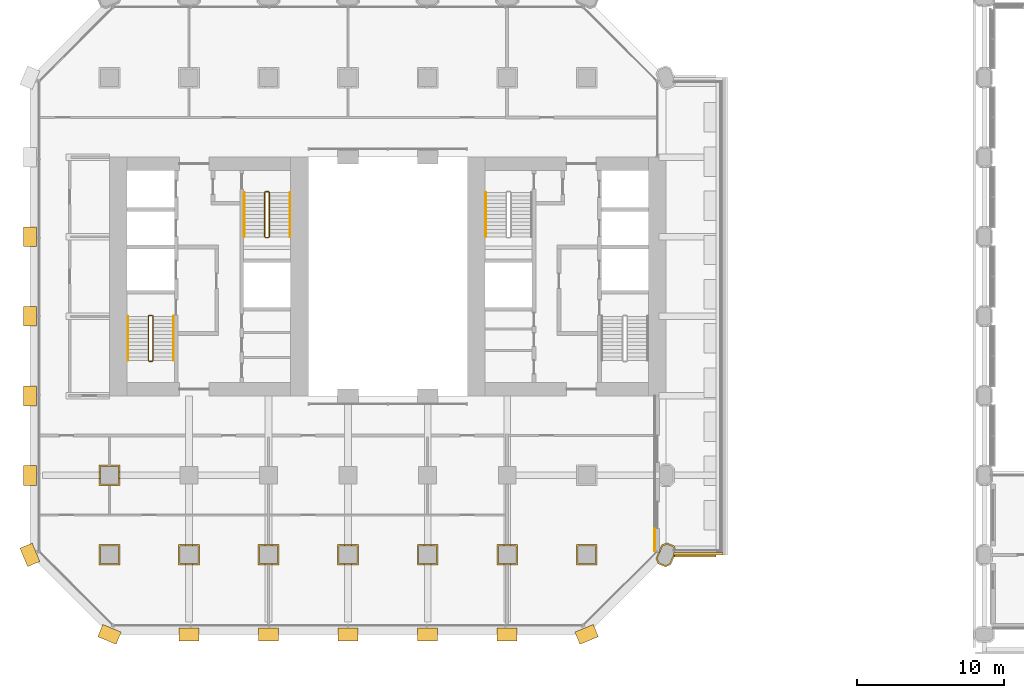
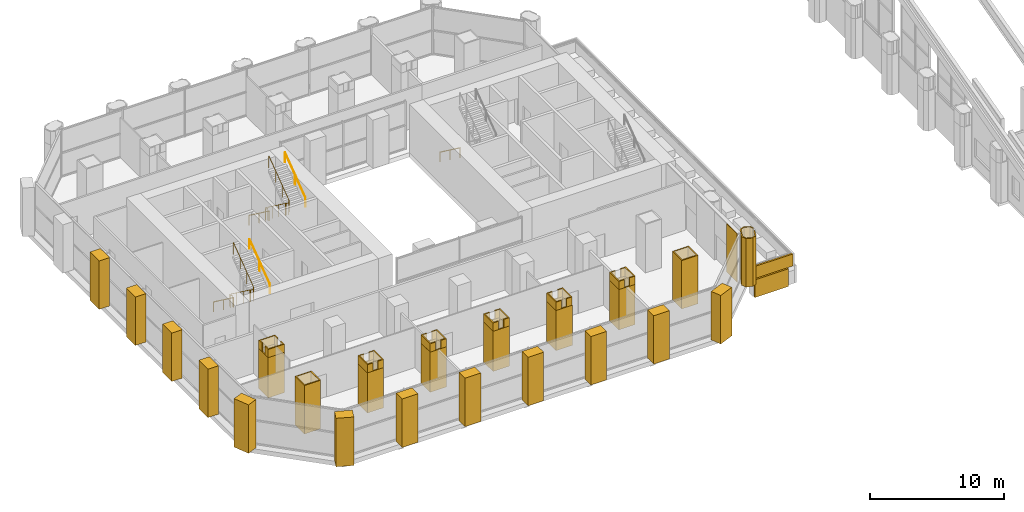
# One storey, part 36 of 42: 36 coverings, 7 railings.
"""IFC4 building model written with IfcOpenShell, lengths in metres."""

from ifc_helpers import new_model, si_unit, direction, frame, frame_2d, origin, origin_2d, place, context, subcontext, project, spatial, polyline, rectangle, circle, outline, extrude, material, layer, layer_set, type_object, element, save


model = new_model("IFC4")

# Units and contexts
model_context = context("Model", 3, precision=1e-05, world=origin(), true_north=direction((0.0, 1.0)))
body_context = subcontext(model_context, "Body", "Model", "MODEL_VIEW")
ifc_project = project(units=[si_unit("LENGTHUNIT", "METRE"), si_unit("AREAUNIT", "SQUARE_METRE"), si_unit("VOLUMEUNIT", "CUBIC_METRE"), si_unit("PLANEANGLEUNIT", "RADIAN"), si_unit("MASSUNIT", "GRAM", prefix="KILO")], contexts=[model_context])

# Site, building, storey
site_placement = place(None, origin())
site = spatial("IfcSite", under=ifc_project, at=site_placement, CompositionType="ELEMENT")
building_placement = place(site_placement, origin())
building = spatial("IfcBuilding", under=site, at=building_placement, Name="Tabaq Tower and Sports Hall", CompositionType="ELEMENT")
storey_placement = place(building_placement, frame((0.0, 0.0, 19.800048828125)))
storey = spatial("IfcBuildingStorey", under=building, at=storey_placement, Name="L03", CompositionType="ELEMENT", Elevation=19.800048828125)

# Coverings
ifc_material_1 = material(Name="Precast concrete C60/75", Category="concrete")
ifc_layer_1 = layer(ifc_material_1, 0.10009765625)
ifc_layer_set_1 = layer_set([ifc_layer_1], Name="Column cladding 100")
covering_type_1 = type_object("IfcCoveringType", Name="Column cladding 100", PredefinedType="CLADDING", material=ifc_layer_set_1)
covering_1_placement = place(storey_placement, origin())
element("IfcCovering", 1, at=covering_1_placement, inside=storey, type_object=covering_type_1, Name="Column cladding L03 CC-2B-P", PredefinedType="CLADDING", context=body_context, shape_type="SweptSolid", body=[
    extrude(outline(polyline([(4.7001953125, 6.099609375), (6.099609375, 6.099609375), (6.099609375, 4.7001953125), (4.7001953125, 4.7001953125), (4.7001953125, 6.099609375)]), holes=[polyline([(6.000244140625, 4.7998046875), (6.000244140625, 6.000244140625), (4.7998046875, 6.000244140625), (4.7998046875, 4.7998046875), (6.000244140625, 4.7998046875)])]), origin(), (0.0, 0.0, 1.0), 4.39990234375),
])
covering_2_placement = place(storey_placement, origin())
element("IfcCovering", 2, at=covering_2_placement, inside=storey, type_object=covering_type_1, Name="Column cladding L03 CC-2C-P", PredefinedType="CLADDING", context=body_context, shape_type="SweptSolid", body=[
    extrude(outline(polyline([(4.7001953125, 11.499755859375), (6.099609375, 11.499755859375), (6.099609375, 10.100341796875), (4.7001953125, 10.100341796875), (4.7001953125, 11.499755859375)]), holes=[polyline([(6.000244140625, 10.19970703125), (6.000244140625, 11.400390625), (4.7998046875, 11.400390625), (4.7998046875, 10.19970703125), (6.000244140625, 10.19970703125)])]), origin(), (0.0, 0.0, 1.0), 3.64990234375),
])
covering_3_placement = place(storey_placement, frame((0.0, 0.0, 3.64990234375)))
element("IfcCovering", 3, at=covering_3_placement, inside=storey, type_object=covering_type_1, Name="Column cladding L03 CC-2C-P head", PredefinedType="CLADDING", context=body_context, shape_type="SweptSolid", body=[
    extrude(outline(polyline([(4.79931640625, 10.574462890625), (4.79931640625, 10.199462890625), (6.00048828125, 10.199462890625), (6.00048828125, 10.574462890625), (6.099365234375, 10.574462890625), (6.099365234375, 10.1005859375), (4.70068359375, 10.1005859375), (4.70068359375, 10.574462890625), (4.79931640625, 10.574462890625)])), origin(), (0.0, 0.0, 1.0), 0.75),
])
covering_4_placement = place(storey_placement, frame((0.0, 0.0, 3.64990234375)))
element("IfcCovering", 4, at=covering_4_placement, inside=storey, type_object=covering_type_1, Name="Column cladding L03 CC-2C-P head 2", PredefinedType="CLADDING", context=body_context, shape_type="SweptSolid", body=[
    extrude(outline(polyline([(4.79931640625, 11.025634765625), (4.70068359375, 11.025634765625), (4.70068359375, 11.49951171875), (6.099365234375, 11.49951171875), (6.099365234375, 11.025634765625), (6.00048828125, 11.025634765625), (6.00048828125, 11.400634765625), (4.79931640625, 11.400634765625), (4.79931640625, 11.025634765625)])), origin(), (0.0, 0.0, 1.0), 0.75),
])
covering_5_placement = place(storey_placement, origin())
element("IfcCovering", 5, at=covering_5_placement, inside=storey, type_object=covering_type_1, Name="Column cladding L03 CC-3B-P", PredefinedType="CLADDING", context=body_context, shape_type="SweptSolid", body=[
    extrude(outline(polyline([(10.100341796875, 6.099609375), (11.499755859375, 6.099609375), (11.499755859375, 4.7001953125), (10.100341796875, 4.7001953125), (10.100341796875, 6.099609375)]), holes=[polyline([(11.400390625, 4.7998046875), (11.400390625, 6.000244140625), (10.19970703125, 6.000244140625), (10.19970703125, 4.7998046875), (11.400390625, 4.7998046875)])]), origin(), (0.0, 0.0, 1.0), 3.64990234375),
])
covering_6_placement = place(storey_placement, frame((0.0, 0.0, 3.64990234375)))
element("IfcCovering", 6, at=covering_6_placement, inside=storey, type_object=covering_type_1, Name="Column cladding L03 CC-3B-P head", PredefinedType="CLADDING", context=body_context, shape_type="SweptSolid", body=[
    extrude(outline(polyline([(10.574462890625, 4.79931640625), (10.574462890625, 4.70068359375), (10.1005859375, 4.70068359375), (10.1005859375, 6.099365234375), (10.574462890625, 6.099365234375), (10.574462890625, 6.00048828125), (10.199462890625, 6.00048828125), (10.199462890625, 4.79931640625), (10.574462890625, 4.79931640625)])), origin(), (0.0, 0.0, 1.0), 0.75),
])
covering_7_placement = place(storey_placement, frame((0.0, 0.0, 3.64990234375)))
element("IfcCovering", 7, at=covering_7_placement, inside=storey, type_object=covering_type_1, Name="Column cladding L03 CC-3B-P head 2", PredefinedType="CLADDING", context=body_context, shape_type="SweptSolid", body=[
    extrude(outline(polyline([(11.025634765625, 4.79931640625), (11.400634765625, 4.79931640625), (11.400634765625, 6.00048828125), (11.025634765625, 6.00048828125), (11.025634765625, 6.099365234375), (11.49951171875, 6.099365234375), (11.49951171875, 4.70068359375), (11.025634765625, 4.70068359375), (11.025634765625, 4.79931640625)])), origin(), (0.0, 0.0, 1.0), 0.75),
])
covering_8_placement = place(storey_placement, origin())
element("IfcCovering", 8, at=covering_8_placement, inside=storey, type_object=covering_type_1, Name="Column cladding L03 CC-4B-P", PredefinedType="CLADDING", context=body_context, shape_type="SweptSolid", body=[
    extrude(outline(polyline([(15.500244140625, 6.099609375), (16.899658203125, 6.099609375), (16.899658203125, 4.7001953125), (15.500244140625, 4.7001953125), (15.500244140625, 6.099609375)]), holes=[polyline([(16.80029296875, 4.7998046875), (16.80029296875, 6.000244140625), (15.599609375, 6.000244140625), (15.599609375, 4.7998046875), (16.80029296875, 4.7998046875)])]), origin(), (0.0, 0.0, 1.0), 3.64990234375),
])
covering_9_placement = place(storey_placement, frame((0.0, 0.0, 3.64990234375)))
element("IfcCovering", 9, at=covering_9_placement, inside=storey, type_object=covering_type_1, Name="Column cladding L03 CC-4B-P head", PredefinedType="CLADDING", context=body_context, shape_type="SweptSolid", body=[
    extrude(outline(polyline([(16.425537109375, 4.79931640625), (16.800537109375, 4.79931640625), (16.800537109375, 6.00048828125), (16.425537109375, 6.00048828125), (16.425537109375, 6.099365234375), (16.8994140625, 6.099365234375), (16.8994140625, 4.70068359375), (16.425537109375, 4.70068359375), (16.425537109375, 4.79931640625)])), origin(), (0.0, 0.0, 1.0), 0.75),
])
covering_10_placement = place(storey_placement, frame((0.0, 0.0, 3.64990234375)))
element("IfcCovering", 10, at=covering_10_placement, inside=storey, type_object=covering_type_1, Name="Column cladding L03 CC-4B-P head 2", PredefinedType="CLADDING", context=body_context, shape_type="SweptSolid", body=[
    extrude(outline(polyline([(15.974365234375, 4.79931640625), (15.974365234375, 4.70068359375), (15.50048828125, 4.70068359375), (15.50048828125, 6.099365234375), (15.974365234375, 6.099365234375), (15.974365234375, 6.00048828125), (15.599365234375, 6.00048828125), (15.599365234375, 4.79931640625), (15.974365234375, 4.79931640625)])), origin(), (0.0, 0.0, 1.0), 0.75),
])
covering_11_placement = place(storey_placement, origin())
element("IfcCovering", 11, at=covering_11_placement, inside=storey, type_object=covering_type_1, Name="Column cladding L03 CC-5B-P", PredefinedType="CLADDING", context=body_context, shape_type="SweptSolid", body=[
    extrude(outline(polyline([(20.900390625, 6.099609375), (22.2998046875, 6.099609375), (22.2998046875, 4.7001953125), (20.900390625, 4.7001953125), (20.900390625, 6.099609375)]), holes=[polyline([(22.2001953125, 4.7998046875), (22.2001953125, 6.000244140625), (20.999755859375, 6.000244140625), (20.999755859375, 4.7998046875), (22.2001953125, 4.7998046875)])]), origin(), (0.0, 0.0, 1.0), 3.64990234375),
])
covering_12_placement = place(storey_placement, frame((0.0, 0.0, 3.64990234375)))
element("IfcCovering", 12, at=covering_12_placement, inside=storey, type_object=covering_type_1, Name="Column cladding L03 CC-5B-P head", PredefinedType="CLADDING", context=body_context, shape_type="SweptSolid", body=[
    extrude(outline(polyline([(21.37451171875, 4.79931640625), (21.37451171875, 4.70068359375), (20.900634765625, 4.70068359375), (20.900634765625, 6.099365234375), (21.37451171875, 6.099365234375), (21.37451171875, 6.00048828125), (20.99951171875, 6.00048828125), (20.99951171875, 4.79931640625), (21.37451171875, 4.79931640625)])), origin(), (0.0, 0.0, 1.0), 0.75),
])
covering_13_placement = place(storey_placement, frame((0.0, 0.0, 3.64990234375)))
element("IfcCovering", 13, at=covering_13_placement, inside=storey, type_object=covering_type_1, Name="Column cladding L03 CC-5B-P head 2", PredefinedType="CLADDING", context=body_context, shape_type="SweptSolid", body=[
    extrude(outline(polyline([(21.82568359375, 4.79931640625), (22.20068359375, 4.79931640625), (22.20068359375, 6.00048828125), (21.82568359375, 6.00048828125), (21.82568359375, 6.099365234375), (22.29931640625, 6.099365234375), (22.29931640625, 4.70068359375), (21.82568359375, 4.70068359375), (21.82568359375, 4.79931640625)])), origin(), (0.0, 0.0, 1.0), 0.75),
])
covering_14_placement = place(storey_placement, origin())
element("IfcCovering", 14, at=covering_14_placement, inside=storey, type_object=covering_type_1, Name="Column cladding L03 CC-6B-P", PredefinedType="CLADDING", context=body_context, shape_type="SweptSolid", body=[
    extrude(outline(polyline([(26.30029296875, 6.099609375), (27.69970703125, 6.099609375), (27.69970703125, 4.7001953125), (26.30029296875, 4.7001953125), (26.30029296875, 6.099609375)]), holes=[polyline([(27.600341796875, 4.7998046875), (27.600341796875, 6.000244140625), (26.399658203125, 6.000244140625), (26.399658203125, 4.7998046875), (27.600341796875, 4.7998046875)])]), origin(), (0.0, 0.0, 1.0), 3.64990234375),
])
covering_15_placement = place(storey_placement, frame((0.0, 0.0, 3.64990234375)))
element("IfcCovering", 15, at=covering_15_placement, inside=storey, type_object=covering_type_1, Name="Column cladding L03 CC-6B-P head", PredefinedType="CLADDING", context=body_context, shape_type="SweptSolid", body=[
    extrude(outline(polyline([(26.7744140625, 4.79931640625), (26.7744140625, 4.70068359375), (26.300537109375, 4.70068359375), (26.300537109375, 6.099365234375), (26.7744140625, 6.099365234375), (26.7744140625, 6.00048828125), (26.3994140625, 6.00048828125), (26.3994140625, 4.79931640625), (26.7744140625, 4.79931640625)])), origin(), (0.0, 0.0, 1.0), 0.75),
])
covering_16_placement = place(storey_placement, frame((0.0, 0.0, 3.64990234375)))
element("IfcCovering", 16, at=covering_16_placement, inside=storey, type_object=covering_type_1, Name="Column cladding L03 CC-6B-P head 2", PredefinedType="CLADDING", context=body_context, shape_type="SweptSolid", body=[
    extrude(outline(polyline([(27.2255859375, 4.79931640625), (27.6005859375, 4.79931640625), (27.6005859375, 6.00048828125), (27.2255859375, 6.00048828125), (27.2255859375, 6.099365234375), (27.699462890625, 6.099365234375), (27.699462890625, 4.70068359375), (27.2255859375, 4.70068359375), (27.2255859375, 4.79931640625)])), origin(), (0.0, 0.0, 1.0), 0.75),
])
covering_17_placement = place(storey_placement, origin())
element("IfcCovering", 17, at=covering_17_placement, inside=storey, type_object=covering_type_1, Name="Column cladding L03 CC-7B-P", PredefinedType="CLADDING", context=body_context, shape_type="SweptSolid", body=[
    extrude(outline(polyline([(31.7001953125, 6.099609375), (33.099609375, 6.099609375), (33.099609375, 4.7001953125), (31.7001953125, 4.7001953125), (31.7001953125, 6.099609375)]), holes=[polyline([(33.000244140625, 4.7998046875), (33.000244140625, 6.000244140625), (31.7998046875, 6.000244140625), (31.7998046875, 4.7998046875), (33.000244140625, 4.7998046875)])]), origin(), (0.0, 0.0, 1.0), 3.64990234375),
])
covering_18_placement = place(storey_placement, frame((0.0, 0.0, 3.64990234375)))
element("IfcCovering", 18, at=covering_18_placement, inside=storey, type_object=covering_type_1, Name="Column cladding L03 CC-7B-P head", PredefinedType="CLADDING", context=body_context, shape_type="SweptSolid", body=[
    extrude(outline(polyline([(32.62548828125, 4.79931640625), (33.00048828125, 4.79931640625), (33.00048828125, 6.00048828125), (32.62548828125, 6.00048828125), (32.62548828125, 6.099365234375), (33.099365234375, 6.099365234375), (33.099365234375, 4.70068359375), (32.62548828125, 4.70068359375), (32.62548828125, 4.79931640625)])), origin(), (0.0, 0.0, 1.0), 0.75),
])
covering_19_placement = place(storey_placement, frame((0.0, 0.0, 3.64990234375)))
element("IfcCovering", 19, at=covering_19_placement, inside=storey, type_object=covering_type_1, Name="Column cladding L03 CC-7B-P head 2", PredefinedType="CLADDING", context=body_context, shape_type="SweptSolid", body=[
    extrude(outline(polyline([(32.17431640625, 4.79931640625), (32.17431640625, 4.70068359375), (31.70068359375, 4.70068359375), (31.70068359375, 6.099365234375), (32.17431640625, 6.099365234375), (32.17431640625, 6.00048828125), (31.79931640625, 6.00048828125), (31.79931640625, 4.79931640625), (32.17431640625, 4.79931640625)])), origin(), (0.0, 0.0, 1.0), 0.75),
])
covering_20_placement = place(storey_placement, origin())
element("IfcCovering", 20, at=covering_20_placement, inside=storey, type_object=covering_type_1, Name="Column cladding L03 CC-8B-P", PredefinedType="CLADDING", context=body_context, shape_type="SweptSolid", body=[
    extrude(outline(polyline([(37.100341796875, 6.099609375), (38.499755859375, 6.099609375), (38.499755859375, 4.7001953125), (37.100341796875, 4.7001953125), (37.100341796875, 6.099609375)]), holes=[polyline([(38.400390625, 4.7998046875), (38.400390625, 6.000244140625), (37.19970703125, 6.000244140625), (37.19970703125, 4.7998046875), (38.400390625, 4.7998046875)])]), origin(), (0.0, 0.0, 1.0), 4.39990234375),
])
covering_21_placement = place(storey_placement, origin())
element("IfcCovering", 21, at=covering_21_placement, inside=storey, type_object=covering_type_1, Name="Column cladding L03 PC-9B-P", PredefinedType="CLADDING", context=body_context, shape_type="SweptSolid", body=[
    extrude(outline(polyline([(42.657470703125, 4.7861328125), (42.504150390625, 5.156494140625), (42.68212890625, 5.586181640625), (42.750244140625, 5.586181640625), (42.750244140625, 5.750732421875), (42.880126953125, 6.064208984375), (43.25048828125, 6.217529296875), (43.742431640625, 6.013916015625), (43.8681640625, 5.710205078125), (43.7607421875, 5.710205078125), (43.66650390625, 5.937744140625), (43.25048828125, 6.110107421875), (42.956298828125, 5.98828125), (42.61181640625, 5.156494140625), (42.733642578125, 4.8623046875), (43.149658203125, 4.68994140625), (43.44384765625, 4.811767578125), (43.69970703125, 5.4296875), (43.69970703125, 5.399658203125), (43.794921875, 5.399658203125), (43.519775390625, 4.73583984375), (43.149658203125, 4.582275390625), (42.657470703125, 4.7861328125)])), origin(), (0.0, 0.0, 1.0), 4.39990234375),
])
ifc_material_2 = material(Name="White precast concrete C60/75", Category="concrete")
covering_type_2 = type_object("IfcCoveringType", Name="Pier cladding hung 1350x900", PredefinedType="CLADDING", material=ifc_material_2)
for number, where, z_axis, x_axis, name in (
    (22, (-0.25830078125, 6.023681640625, 0.0), (0.0, 0.0, 1.0), (0.382649923473, -0.923893411637, 0.0), "Hung pier cladding 0/1"),
    (23, (0.0, 11.47509765625, 0.0), (0.0, 0.0, 1.0), (0.0, -1.0, 0.0), "Hung pier cladding 0/2"),
    (24, (0.0, 16.875, 0.0), (0.0, 0.0, 1.0), (0.0, -1.0, 0.0), "Hung pier cladding 0/3"),
):
    element("IfcCovering", number, at=place(storey_placement, frame(where, z_axis=z_axis, x_axis=x_axis)), inside=storey, type_object=covering_type_2, Name=name, PredefinedType="CLADDING", context=body_context, shape_type="SweptSolid", body=[
        extrude(rectangle(XDim=1.35009765625, YDim=0.89990234375, at=frame_2d((0.675048828125, 0.0))), origin(), (0.0, 0.0, 1.0), 4.39990234375),
    ])
covering_22_placement = place(storey_placement, frame((0.0, 22.27490234375, 0.0), z_axis=(0.0, 0.0, 1.0), x_axis=(0.0, -1.0, 0.0)))
element("IfcCovering", 25, at=covering_22_placement, inside=storey, type_object=covering_type_2, Name="Hung pier cladding 0/4", PredefinedType="CLADDING", context=body_context, shape_type="SweptSolid", body=[
    extrude(rectangle(XDim=1.349853515625, YDim=0.89990234375, at=frame_2d((0.6748046875, 0.0))), origin(), (0.0, 0.0, 1.0), 4.39990234375),
])
for number, where, z_axis, x_axis, name in (
    (26, (0.0, 27.675048828125, 0.0), (0.0, 0.0, 1.0), (0.0, -1.0, 0.0), "Hung pier cladding 0/5"),
    (27, (4.7763671875, 0.25830078125, 0.0), (0.0, 0.0, 1.0), (0.923893411637, -0.382649923473, 0.0), "Hung pier cladding 1/0"),
    (28, (10.125, 0.0, 0.0), (0.0, 0.0, 1.0), (1.0, 0.0, 0.0), "Hung pier cladding 2/0"),
    (29, (15.52490234375, 0.0, 0.0), (0.0, 0.0, 1.0), (1.0, 0.0, 0.0), "Hung pier cladding 3/0"),
):
    element("IfcCovering", number, at=place(storey_placement, frame(where, z_axis=z_axis, x_axis=x_axis)), inside=storey, type_object=covering_type_2, Name=name, PredefinedType="CLADDING", context=body_context, shape_type="SweptSolid", body=[
        extrude(rectangle(XDim=1.35009765625, YDim=0.89990234375, at=frame_2d((0.675048828125, 0.0))), origin(), (0.0, 0.0, 1.0), 4.39990234375),
    ])
covering_23_placement = place(storey_placement, frame((20.925048828125, 0.0, 0.0), z_axis=(0.0, 0.0, 1.0), x_axis=(1.0, 0.0, 0.0)))
element("IfcCovering", 30, at=covering_23_placement, inside=storey, type_object=covering_type_2, Name="Hung pier cladding 4/0", PredefinedType="CLADDING", context=body_context, shape_type="SweptSolid", body=[
    extrude(rectangle(XDim=1.349853515625, YDim=0.89990234375, at=frame_2d((0.6748046875, 0.0))), origin(), (0.0, 0.0, 1.0), 4.39990234375),
])
covering_24_placement = place(storey_placement, frame((26.324951171875, 0.0, 0.0), z_axis=(0.0, 0.0, 1.0), x_axis=(1.0, 0.0, 0.0)))
element("IfcCovering", 31, at=covering_24_placement, inside=storey, type_object=covering_type_2, Name="Hung pier cladding 5/0", PredefinedType="CLADDING", context=body_context, shape_type="SweptSolid", body=[
    extrude(rectangle(XDim=1.35009765625, YDim=0.89990234375, at=frame_2d((0.675048828125, 0.0))), origin(), (0.0, 0.0, 1.0), 4.39990234375),
])
covering_25_placement = place(storey_placement, frame((31.72509765625, 0.0, 0.0), z_axis=(0.0, 0.0, 1.0), x_axis=(1.0, 0.0, 0.0)))
element("IfcCovering", 32, at=covering_25_placement, inside=storey, type_object=covering_type_2, Name="Hung pier cladding 6/0", PredefinedType="CLADDING", context=body_context, shape_type="SweptSolid", body=[
    extrude(rectangle(XDim=1.349853515625, YDim=0.89990234375, at=frame_2d((0.6748046875, 0.0))), origin(), (0.0, 0.0, 1.0), 4.39990234375),
])
covering_26_placement = place(storey_placement, frame((37.17626953125, -0.25830078125, 0.0), z_axis=(0.0, 0.0, 1.0), x_axis=(0.923893411637, 0.382649923473, 0.0)))
element("IfcCovering", 33, at=covering_26_placement, inside=storey, type_object=covering_type_2, Name="Hung pier cladding 7/0", PredefinedType="CLADDING", context=body_context, shape_type="SweptSolid", body=[
    extrude(rectangle(XDim=1.35009765625, YDim=0.89990234375, at=frame_2d((0.675048828125, 0.0))), origin(), (0.0, 0.0, 1.0), 4.39990234375),
])

# Railings
ifc_material_3 = material(Name="Stainless steel", Category="steel")
railing_type_1 = type_object("IfcRailingType", Name="Stair guard", PredefinedType="GUARDRAIL", material=ifc_material_3)
railing_1_placement = place(storey_placement, frame((8.300048828125, 21.64990234375, 0.0)))
element("IfcRailing", 34, at=railing_1_placement, inside=storey, type_object=railing_type_1, Name="L03 ST1 stair guard 1", PredefinedType="GUARDRAIL", context=body_context, shape_type="SweptSolid", body=[
    extrude(circle(Radius=0.02392578125, at=origin_2d()), frame((0.0, 0.0, 1.076171875), z_axis=(-1.0, 0.0, 0.0), x_axis=(0.0, -1.0, 0.0)), (0.0, 0.0, 1.0), 0.199951171875),
    extrude(circle(Radius=0.02392578125, at=origin_2d()), frame((-0.199951171875, 0.0, 1.076171875), z_axis=(-0.253264628505, -0.252029191293, 0.933990532438), x_axis=(0.705375805398, -0.708833529934, 0.0)), (0.0, 0.0, 1.0), 0.197509765625),
    extrude(circle(Radius=0.02392578125, at=origin_2d()), frame((-0.25, -0.0498046875, 1.2607421875), z_axis=(0.0, -0.804440004972, 0.594033903411), x_axis=(1.0, 0.0, 0.0)), (0.0, 0.0, 1.0), 3.729248046875),
    extrude(circle(Radius=0.02392578125, at=origin_2d()), frame((-0.25, -3.0498046875, 3.47607421875), z_axis=(0.707106781187, -0.707106781187, 0.0), x_axis=(0.707106781187, 0.707106781187, 0.0)), (0.0, 0.0, 1.0), 0.07080078125),
    extrude(circle(Radius=0.02392578125, at=origin_2d()), frame((-0.199951171875, -3.099853515625, 3.47607421875), z_axis=(1.0, 0.0, 0.0), x_axis=(0.0, 1.0, 0.0)), (0.0, 0.0, 1.0), 0.199951171875),
    extrude(circle(Radius=0.02392578125, at=origin_2d()), frame((0.0, -3.099853515625, 3.47607421875), z_axis=(0.253185614162, 0.253185614162, 0.933699142959), x_axis=(-0.707106781187, 0.707106781187, 0.0)), (0.0, 0.0, 1.0), 0.19775390625),
    extrude(circle(Radius=0.02392578125, at=origin_2d()), frame((0.050048828125, -3.0498046875, 3.66064453125), z_axis=(0.0, 0.804408721428, 0.594076265214), x_axis=(-1.0, 0.0, 0.0)), (0.0, 0.0, 1.0), 3.7294921875),
    extrude(circle(Radius=0.02099609375, at=origin_2d()), origin(), (0.0, 0.0, 1.0), 1.052001953125),
    extrude(circle(Radius=0.02099609375, at=origin_2d()), frame((-0.199951171875, 0.0, 0.0)), (0.0, 0.0, 1.0), 1.052001953125),
    extrude(circle(Radius=0.02099609375, at=origin_2d()), frame((-0.25, -0.0498046875, 0.1845703125)), (0.0, 0.0, 1.0), 1.052001953125),
    extrude(circle(Radius=0.02099609375, at=origin_2d()), frame((-0.25, -1.0498046875, 0.923095703125)), (0.0, 0.0, 1.0), 1.052001953125),
    extrude(circle(Radius=0.02099609375, at=origin_2d()), frame((-0.25, -2.0498046875, 1.661376953125)), (0.0, 0.0, 1.0), 1.052001953125),
    extrude(circle(Radius=0.02099609375, at=origin_2d()), frame((-0.25, -3.0498046875, 2.39990234375)), (0.0, 0.0, 1.0), 1.052001953125),
    extrude(circle(Radius=0.02099609375, at=origin_2d()), frame((-0.199951171875, -3.099853515625, 2.39990234375)), (0.0, 0.0, 1.0), 1.052001953125),
    extrude(circle(Radius=0.02099609375, at=origin_2d()), frame((0.0, -3.099853515625, 2.39990234375)), (0.0, 0.0, 1.0), 1.052001953125),
    extrude(circle(Radius=0.02099609375, at=origin_2d()), frame((0.050048828125, -3.0498046875, 2.58447265625)), (0.0, 0.0, 1.0), 1.052001953125),
    extrude(circle(Radius=0.02099609375, at=origin_2d()), frame((0.050048828125, -2.0498046875, 3.322998046875)), (0.0, 0.0, 1.0), 1.052001953125),
    extrude(circle(Radius=0.02099609375, at=origin_2d()), frame((0.050048828125, -1.0498046875, 4.0615234375)), (0.0, 0.0, 1.0), 1.052001953125),
    extrude(circle(Radius=0.02099609375, at=origin_2d()), frame((0.050048828125, -0.0498046875, 4.800048828125)), (0.0, 0.0, 1.0), 1.052001953125),
])
railing_2_placement = place(storey_placement, frame((16.199951171875, 30.050048828125, 0.0)))
element("IfcRailing", 35, at=railing_2_placement, inside=storey, type_object=railing_type_1, Name="L03 ST2 stair guard 1", PredefinedType="GUARDRAIL", context=body_context, shape_type="SweptSolid", body=[
    extrude(circle(Radius=0.02392578125, at=origin_2d()), frame((0.0, 0.0, 1.076171875), z_axis=(-1.0, 0.0, 0.0), x_axis=(0.0, -1.0, 0.0)), (0.0, 0.0, 1.0), 0.199951171875),
    extrude(circle(Radius=0.02392578125, at=origin_2d()), frame((-0.199951171875, 0.0, 1.076171875), z_axis=(-0.253185614162, -0.253185614162, 0.933699142959), x_axis=(0.707106781187, -0.707106781187, 0.0)), (0.0, 0.0, 1.0), 0.19775390625),
    extrude(circle(Radius=0.02392578125, at=origin_2d()), frame((-0.25, -0.050048828125, 1.2607421875), z_axis=(0.0, -0.804440004972, 0.594033903411), x_axis=(1.0, 0.0, 0.0)), (0.0, 0.0, 1.0), 3.729248046875),
    extrude(circle(Radius=0.02392578125, at=origin_2d()), frame((-0.25, -3.050048828125, 3.47607421875), z_axis=(0.707106781187, -0.707106781187, 0.0), x_axis=(0.707106781187, 0.707106781187, 0.0)), (0.0, 0.0, 1.0), 0.07080078125),
    extrude(circle(Radius=0.02392578125, at=origin_2d()), frame((-0.199951171875, -3.10009765625, 3.47607421875), z_axis=(1.0, 0.0, 0.0), x_axis=(0.0, 1.0, 0.0)), (0.0, 0.0, 1.0), 0.199951171875),
    extrude(circle(Radius=0.02392578125, at=origin_2d()), frame((0.0, -3.10009765625, 3.47607421875), z_axis=(0.253185614162, 0.253185614162, 0.933699142959), x_axis=(-0.707106781187, 0.707106781187, 0.0)), (0.0, 0.0, 1.0), 0.19775390625),
    extrude(circle(Radius=0.02392578125, at=origin_2d()), frame((0.050048828125, -3.050048828125, 3.66064453125), z_axis=(0.0, 0.804408721428, 0.594076265214), x_axis=(-1.0, 0.0, 0.0)), (0.0, 0.0, 1.0), 3.7294921875),
    extrude(circle(Radius=0.02099609375, at=origin_2d()), origin(), (0.0, 0.0, 1.0), 1.052001953125),
    extrude(circle(Radius=0.02099609375, at=origin_2d()), frame((-0.199951171875, 0.0, 0.0)), (0.0, 0.0, 1.0), 1.052001953125),
    extrude(circle(Radius=0.02099609375, at=origin_2d()), frame((-0.25, -0.050048828125, 0.1845703125)), (0.0, 0.0, 1.0), 1.052001953125),
    extrude(circle(Radius=0.02099609375, at=origin_2d()), frame((-0.25, -1.050048828125, 0.923095703125)), (0.0, 0.0, 1.0), 1.052001953125),
    extrude(circle(Radius=0.02099609375, at=origin_2d()), frame((-0.25, -2.050048828125, 1.661376953125)), (0.0, 0.0, 1.0), 1.052001953125),
    extrude(circle(Radius=0.02099609375, at=origin_2d()), frame((-0.25, -3.050048828125, 2.39990234375)), (0.0, 0.0, 1.0), 1.052001953125),
    extrude(circle(Radius=0.02099609375, at=origin_2d()), frame((-0.199951171875, -3.10009765625, 2.39990234375)), (0.0, 0.0, 1.0), 1.052001953125),
    extrude(circle(Radius=0.02099609375, at=origin_2d()), frame((0.0, -3.10009765625, 2.39990234375)), (0.0, 0.0, 1.0), 1.052001953125),
    extrude(circle(Radius=0.02099609375, at=origin_2d()), frame((0.050048828125, -3.050048828125, 2.58447265625)), (0.0, 0.0, 1.0), 1.052001953125),
    extrude(circle(Radius=0.02099609375, at=origin_2d()), frame((0.050048828125, -2.050048828125, 3.322998046875)), (0.0, 0.0, 1.0), 1.052001953125),
    extrude(circle(Radius=0.02099609375, at=origin_2d()), frame((0.050048828125, -1.050048828125, 4.0615234375)), (0.0, 0.0, 1.0), 1.052001953125),
    extrude(circle(Radius=0.02099609375, at=origin_2d()), frame((0.050048828125, -0.050048828125, 4.800048828125)), (0.0, 0.0, 1.0), 1.052001953125),
])
ifc_material_4 = material(Name="Stainless steel", Category="steel")
railing_type_2 = type_object("IfcRailingType", Name="Stair handrail", PredefinedType="HANDRAIL", material=ifc_material_4)
railing_3_placement = place(storey_placement, frame((6.64990234375, 21.60009765625, 0.1845703125)))
element("IfcRailing", 36, at=railing_3_placement, inside=storey, type_object=railing_type_2, Name="L03 ST1 stair handrail 1", PredefinedType="HANDRAIL", context=body_context, shape_type="SweptSolid", body=[
    extrude(circle(Radius=0.02392578125, at=origin_2d()), frame((0.0, 0.0, 0.8759765625), z_axis=(0.0, -0.804440004972, 0.594033903411), x_axis=(1.0, 0.0, 0.0)), (0.0, 0.0, 1.0), 3.729248046875),
    extrude(circle(Radius=0.02099609375, at=origin_2d()), origin(), (0.0, 0.0, 1.0), 0.851806640625),
    extrude(circle(Radius=0.02099609375, at=origin_2d()), frame((0.0, -1.5, 1.107666015625)), (0.0, 0.0, 1.0), 0.851806640625),
    extrude(circle(Radius=0.02099609375, at=origin_2d()), frame((0.0, -3.0, 2.21533203125)), (0.0, 0.0, 1.0), 0.851806640625),
])
railing_4_placement = place(storey_placement, frame((9.75, 18.60009765625, 2.58447265625)))
element("IfcRailing", 37, at=railing_4_placement, inside=storey, type_object=railing_type_2, Name="L03 ST1 stair handrail 2", PredefinedType="HANDRAIL", context=body_context, shape_type="SweptSolid", body=[
    extrude(circle(Radius=0.02392578125, at=origin_2d()), frame((0.0, 0.0, 0.8759765625), z_axis=(0.0, 0.804408721428, 0.594076265214), x_axis=(-1.0, 0.0, 0.0)), (0.0, 0.0, 1.0), 3.7294921875),
    extrude(circle(Radius=0.02099609375, at=origin_2d()), origin(), (0.0, 0.0, 1.0), 0.851806640625),
    extrude(circle(Radius=0.02099609375, at=origin_2d()), frame((0.0, 1.5, 1.10791015625)), (0.0, 0.0, 1.0), 0.851806640625),
    extrude(circle(Radius=0.02099609375, at=origin_2d()), frame((0.0, 3.0, 2.215576171875)), (0.0, 0.0, 1.0), 0.851806640625),
])
railing_5_placement = place(storey_placement, frame((14.550048828125, 30.0, 0.1845703125)))
element("IfcRailing", 38, at=railing_5_placement, inside=storey, type_object=railing_type_2, Name="L03 ST2 stair handrail 1", PredefinedType="HANDRAIL", context=body_context, shape_type="SweptSolid", body=[
    extrude(circle(Radius=0.02392578125, at=origin_2d()), frame((0.0, 0.0, 0.8759765625), z_axis=(0.0, -0.804440004972, 0.594033903411), x_axis=(1.0, 0.0, 0.0)), (0.0, 0.0, 1.0), 3.729248046875),
    extrude(circle(Radius=0.02099609375, at=origin_2d()), origin(), (0.0, 0.0, 1.0), 0.851806640625),
    extrude(circle(Radius=0.02099609375, at=origin_2d()), frame((0.0, -1.5, 1.107666015625)), (0.0, 0.0, 1.0), 0.851806640625),
    extrude(circle(Radius=0.02099609375, at=origin_2d()), frame((0.0, -3.0, 2.21533203125)), (0.0, 0.0, 1.0), 0.851806640625),
])
railing_6_placement = place(storey_placement, frame((17.64990234375, 27.0, 2.58447265625)))
element("IfcRailing", 39, at=railing_6_placement, inside=storey, type_object=railing_type_2, Name="L03 ST2 stair handrail 2", PredefinedType="HANDRAIL", context=body_context, shape_type="SweptSolid", body=[
    extrude(circle(Radius=0.02392578125, at=origin_2d()), frame((0.0, 0.0, 0.8759765625), z_axis=(0.0, 0.804408721428, 0.594076265214), x_axis=(-1.0, 0.0, 0.0)), (0.0, 0.0, 1.0), 3.7294921875),
    extrude(circle(Radius=0.02099609375, at=origin_2d()), origin(), (0.0, 0.0, 1.0), 0.851806640625),
    extrude(circle(Radius=0.02099609375, at=origin_2d()), frame((0.0, 1.5, 1.10791015625)), (0.0, 0.0, 1.0), 0.851806640625),
    extrude(circle(Radius=0.02099609375, at=origin_2d()), frame((0.0, 3.0, 2.215576171875)), (0.0, 0.0, 1.0), 0.851806640625),
])
railing_7_placement = place(storey_placement, frame((30.949951171875, 30.0, 0.1845703125)))
element("IfcRailing", 40, at=railing_7_placement, inside=storey, type_object=railing_type_2, Name="L03 ST4 stair handrail 1", PredefinedType="HANDRAIL", context=body_context, shape_type="SweptSolid", body=[
    extrude(circle(Radius=0.02392578125, at=origin_2d()), frame((0.0, 0.0, 0.8759765625), z_axis=(0.0, -0.804440004972, 0.594033903411), x_axis=(1.0, 0.0, 0.0)), (0.0, 0.0, 1.0), 3.729248046875),
    extrude(circle(Radius=0.02099609375, at=origin_2d()), origin(), (0.0, 0.0, 1.0), 0.851806640625),
    extrude(circle(Radius=0.02099609375, at=origin_2d()), frame((0.0, -1.5, 1.107666015625)), (0.0, 0.0, 1.0), 0.851806640625),
    extrude(circle(Radius=0.02099609375, at=origin_2d()), frame((0.0, -3.0, 2.21533203125)), (0.0, 0.0, 1.0), 0.851806640625),
])

# Coverings
ifc_material_5 = material(Name="Precast concrete C60/75", Category="concrete")
ifc_layer_2 = layer(ifc_material_5, 0.14990234375)
ifc_layer_set_2 = layer_set([ifc_layer_2], Name="Tray fascia 1200")
covering_type_3 = type_object("IfcCoveringType", Name="Tray fascia 1200", PredefinedType="CLADDING", material=ifc_layer_set_2)
covering_27_placement = place(storey_placement, frame((43.69677734375, 5.324951171875, -1.60009765625), z_axis=(0.0, 0.0, 1.0), x_axis=(1.0, 0.0, 0.0)))
element("IfcCovering", 41, at=covering_27_placement, inside=storey, type_object=covering_type_3, Name="Tray fascia L03 EBT", PredefinedType="CLADDING", context=body_context, shape_type="SweptSolid", body=[
    extrude(rectangle(XDim=2.9033203125, YDim=0.14990234375, at=frame_2d((1.45166015625, 0.0))), origin(), (0.0, 0.0, 1.0), 1.60009765625),
])
ifc_material_6 = material(Name="Precast concrete C60/75", Category="concrete")
ifc_layer_3 = layer(ifc_material_6, 0.14990234375)
ifc_layer_set_3 = layer_set([ifc_layer_3], Name="Tray upstand cladding 1100")
covering_type_4 = type_object("IfcCoveringType", Name="Tray upstand cladding 1100", PredefinedType="CLADDING", material=ifc_layer_set_3)
covering_28_placement = place(storey_placement, frame((43.699951171875, 5.47509765625, 0.0), z_axis=(0.0, 0.0, 1.0), x_axis=(1.0, 0.0, 0.0)))
element("IfcCovering", 42, at=covering_28_placement, inside=storey, type_object=covering_type_4, Name="Tray upstand cladding L03", PredefinedType="CLADDING", context=body_context, shape_type="SweptSolid", body=[
    extrude(rectangle(XDim=3.35009765625, YDim=0.14990234375, at=frame_2d((1.675048828125, 0.0))), origin(), (0.0, 0.0, 1.0), 1.099853515625),
])
ifc_material_7 = material(Name="Precast concrete C60/75", Category="concrete")
ifc_layer_4 = layer(ifc_material_7, 0.06005859375)
ifc_layer_set_4 = layer_set([ifc_layer_4], Name="White precast cladding panel 60 C60/75")
covering_type_5 = type_object("IfcCoveringType", Name="White precast cladding panel 60 C60/75", PredefinedType="CLADDING", material=ifc_layer_set_4)
covering_29_placement = place(storey_placement, frame((42.419921875, 5.63525390625, 0.0), z_axis=(0.0, 0.0, 1.0), x_axis=(0.0, 1.0, 0.0)))
element("IfcCovering", 43, at=covering_29_placement, inside=storey, type_object=covering_type_5, Name="White precast cladding panel L03 infill02-0-0", PredefinedType="CLADDING", context=body_context, shape_type="SweptSolid", body=[
    extrude(rectangle(XDim=1.5546875, YDim=0.06005859375, at=frame_2d((0.77734375, 0.0))), origin(), (0.0, 0.0, 1.0), 4.39990234375),
])

save(model, "model.ifc")
